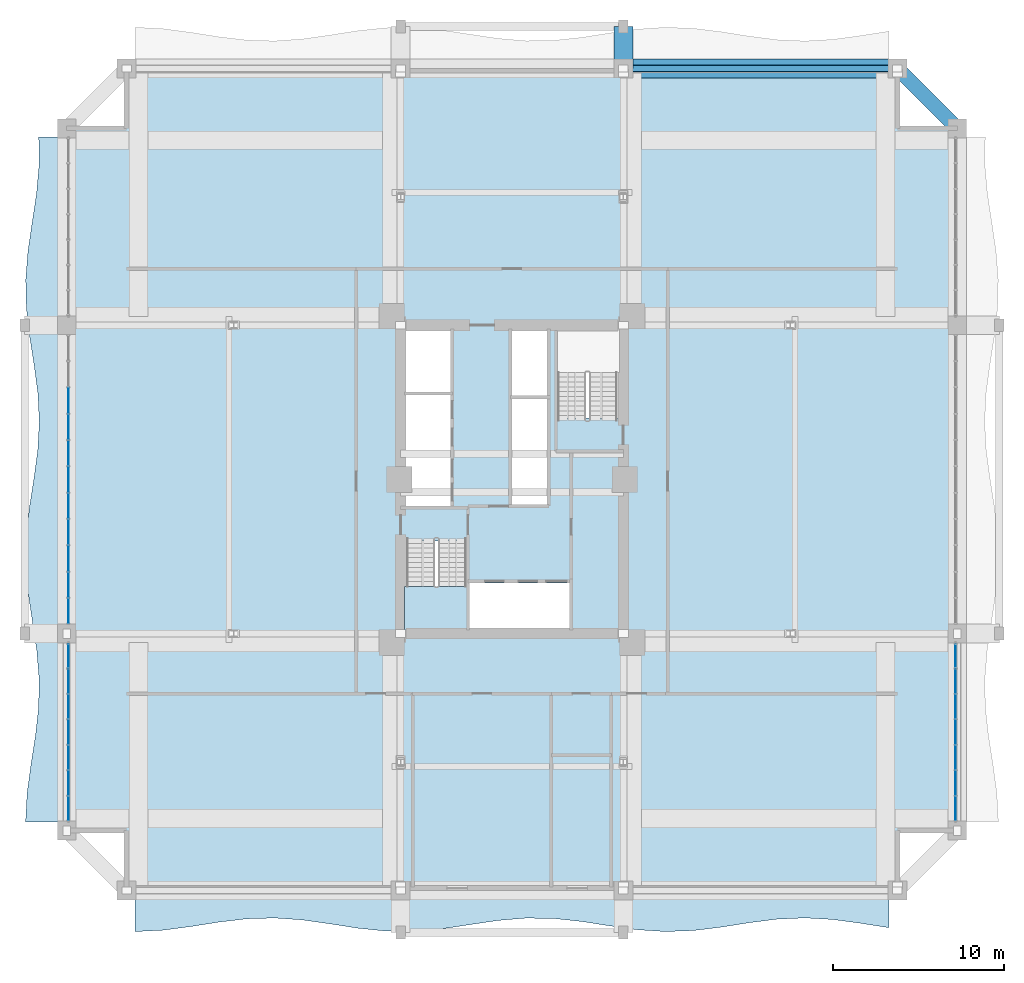
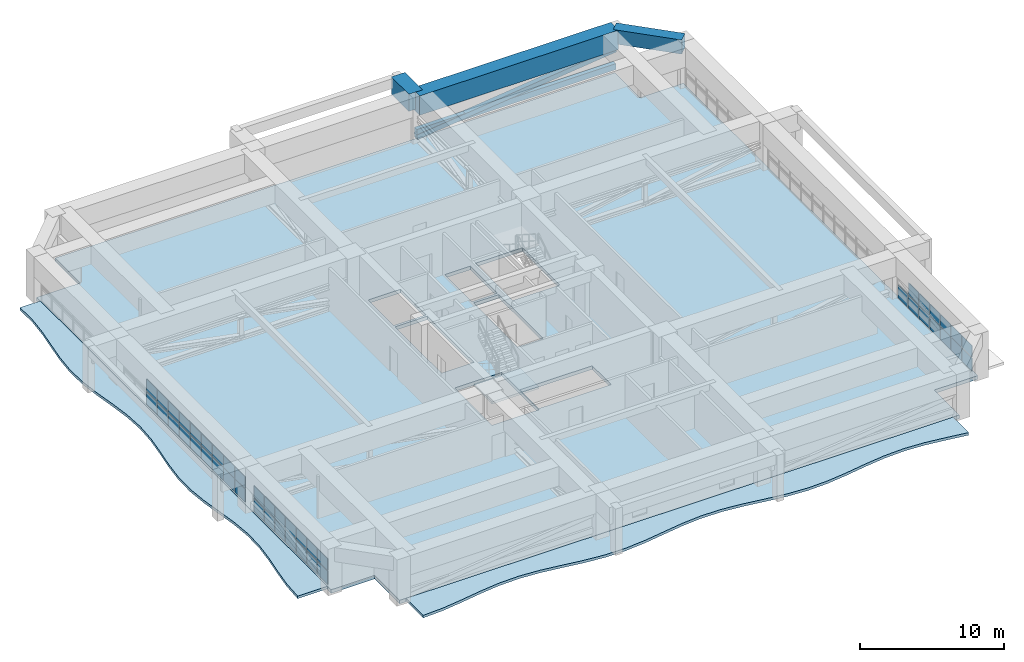
# One storey, part 26 of 35: 45 plates, 4 slabs, 3 beams, 2 members, 4 elements without a shape of their own.
"""IFC4 building model written with IfcOpenShell, lengths in metres."""

import ifcopenshell
import ifcopenshell.guid

model = None  # the IFC model being written
_history = None  # IfcOwnerHistory: only IFC2X3 demands one
_inside = {}  # id of a spatial element -> (the spatial element, [elements in it])
_under = {}  # id of a project, library or spatial element -> (it, [spatial elements below it])
_declared = {}  # id of a project -> (the project, [libraries it declares])
_typed = {}  # id of a type object -> (the type object, [elements of that type])
_made_of = {}  # id of a material, layer set ... -> (it, [elements and type objects made of it])


def new_model(schema):
    """Start an empty IFC model of exactly this schema.

    Asked for "IFC4X3", IfcOpenShell would pick the latest addendum, in which some entities
    have other attributes; the version numbers below select the first issue.
    IFC2X3 requires an IfcOwnerHistory on every rooted entity: one is made here for all.
    """
    global model, _history
    if schema == "IFC4X3":
        model = ifcopenshell.file(schema_version=(4, 3, 0, 0))
    else:
        model = ifcopenshell.file(schema=schema)
    _inside.clear()
    _under.clear()
    _declared.clear()
    _typed.clear()
    _made_of.clear()
    _history = None
    if model.schema == "IFC2X3":
        org = make("IfcOrganization", Name="unknown")
        user = make(
            "IfcPersonAndOrganization",
            ThePerson=make("IfcPerson", FamilyName="unknown"),
            TheOrganization=org,
        )
        app = make(
            "IfcApplication",
            ApplicationDeveloper=org,
            Version="unknown",
            ApplicationFullName="unknown",
            ApplicationIdentifier="unknown",
        )
        _history = make(
            "IfcOwnerHistory",
            OwningUser=user,
            OwningApplication=app,
            ChangeAction="ADDED",
            CreationDate=0,
        )
    return model


def make(cls, **values):
    """One entity of the class cls with the attributes given. An attribute that is None is left unset."""
    return model.create_entity(
        cls, **{name: value for name, value in values.items() if value is not None}
    )


def rooted(cls, **values):
    """An entity with a GlobalId (a new one), such as an element, a storey or a relation."""
    return make(cls, GlobalId=ifcopenshell.guid.new(), OwnerHistory=_history, **values)


def si_unit(unit_type, name, prefix=None):
    """IfcSIUnit, for example si_unit("LENGTHUNIT", "METRE", prefix="MILLI")."""
    return make("IfcSIUnit", UnitType=unit_type, Prefix=prefix, Name=name)


def assignment(units):
    """IfcUnitAssignment: the units of a project."""
    return None if units is None else make("IfcUnitAssignment", Units=units)


def point(xyz):
    """IfcCartesianPoint."""
    return None if xyz is None else make("IfcCartesianPoint", Coordinates=xyz)


def direction(xyz):
    """IfcDirection."""
    return None if xyz is None else make("IfcDirection", DirectionRatios=xyz)


def frame(location, z_axis=None, x_axis=None):
    """IfcAxis2Placement3D, a coordinate frame: its origin and axes. An axis left out is left unset."""
    return make(
        "IfcAxis2Placement3D",
        Location=point(location),
        Axis=direction(z_axis),
        RefDirection=direction(x_axis),
    )


def frame_2d(location, x_axis=None):
    """IfcAxis2Placement2D, a coordinate frame in the plane: its origin and x axis."""
    return make(
        "IfcAxis2Placement2D", Location=point(location), RefDirection=direction(x_axis)
    )


def origin():
    """The frame at (0, 0, 0) with its axes left unset."""
    return frame((0.0, 0.0, 0.0))


def origin_2d():
    """The frame at (0, 0) in the plane with its x axis left unset."""
    return frame_2d((0.0, 0.0))


def place(relative_to, where):
    """IfcLocalPlacement: puts the frame where relative to a parent placement (None: the world)."""
    return make(
        "IfcLocalPlacement", PlacementRelTo=relative_to, RelativePlacement=where
    )


def context(
    kind, dimensions, precision=None, world=None, true_north=None, identifier=None
):
    """IfcGeometricRepresentationContext, for example the 3D "Model" context."""
    return make(
        "IfcGeometricRepresentationContext",
        ContextIdentifier=identifier,
        ContextType=kind,
        CoordinateSpaceDimension=dimensions,
        Precision=precision,
        WorldCoordinateSystem=world,
        TrueNorth=true_north,
    )


def subcontext(parent, identifier, kind, view, scale=None):
    """IfcGeometricRepresentationSubContext, for example "Body" below "Model"."""
    return make(
        "IfcGeometricRepresentationSubContext",
        ContextIdentifier=identifier,
        ContextType=kind,
        ParentContext=parent,
        TargetScale=scale,
        TargetView=view,
    )


def project(units=None, contexts=None):
    """IfcProject with its units and contexts."""
    return rooted(
        "IfcProject",
        Name="project",
        RepresentationContexts=contexts,
        UnitsInContext=assignment(units),
    )


def spatial(cls, under=None, at=None, **own):
    """A site, building, storey or space (cls), placed at a placement, below another one or the project."""
    s = rooted(cls, ObjectPlacement=at, **own)
    if under is not None:
        _under.setdefault(under.id(), (under, []))[1].append(s)
    return s


def polyline(points):
    """IfcPolyline through the points."""
    return make("IfcPolyline", Points=[point(p) for p in points])


def profile(cls, at=None, kind="AREA", **sizes):
    """A parametric profile (cls). Its sizes go by their IFC names, for example OverallWidth=200.0."""
    return make(cls, ProfileType=kind, Position=at, **sizes)


def rectangle(**sizes):
    """IfcRectangleProfileDef."""
    return profile("IfcRectangleProfileDef", **sizes)


def hollow_rectangle(**sizes):
    """IfcRectangleHollowProfileDef."""
    return profile("IfcRectangleHollowProfileDef", **sizes)


def outline(outer, holes=None, kind="AREA"):
    """IfcArbitraryClosedProfileDef: a profile drawn as a closed curve; with holes, ...WithVoids."""
    if holes is None:
        return make("IfcArbitraryClosedProfileDef", ProfileType=kind, OuterCurve=outer)
    return make(
        "IfcArbitraryProfileDefWithVoids",
        ProfileType=kind,
        OuterCurve=outer,
        InnerCurves=holes,
    )


def extrude(swept, where, along, depth):
    """IfcExtrudedAreaSolid: the profile swept, set in the frame where, extruded along a direction by depth."""
    return make(
        "IfcExtrudedAreaSolid",
        SweptArea=swept,
        Position=where,
        ExtrudedDirection=direction(along),
        Depth=depth,
    )


def shape(context_of_items, identifier, shape_type, items):
    """IfcShapeRepresentation: the items that make up one representation, for example the "Body"."""
    return make(
        "IfcShapeRepresentation",
        ContextOfItems=context_of_items,
        RepresentationIdentifier=identifier,
        RepresentationType=shape_type,
        Items=items,
    )


def source(mapping_origin, context_of_items, identifier, shape_type, items):
    """IfcRepresentationMap: a shape defined once, which mapped items show again and again."""
    return make(
        "IfcRepresentationMap",
        MappingOrigin=mapping_origin,
        MappedRepresentation=shape(context_of_items, identifier, shape_type, items),
    )


def transform(
    local_origin,
    x_axis=None,
    y_axis=None,
    z_axis=None,
    scale=None,
    scale2=None,
    scale3=None,
    uniform=True,
):
    """IfcCartesianTransformationOperator3D, or its non-uniform kind. x_axis, y_axis, z_axis: its Axis1, 2, 3."""
    if uniform:
        return make(
            "IfcCartesianTransformationOperator3D",
            Axis1=direction(x_axis),
            Axis2=direction(y_axis),
            LocalOrigin=point(local_origin),
            Scale=scale,
            Axis3=direction(z_axis),
        )
    return make(
        "IfcCartesianTransformationOperator3DnonUniform",
        Axis1=direction(x_axis),
        Axis2=direction(y_axis),
        LocalOrigin=point(local_origin),
        Scale=scale,
        Axis3=direction(z_axis),
        Scale2=scale2,
        Scale3=scale3,
    )


def mapped(mapping_source, mapping_target):
    """IfcMappedItem: shows the shape of a source again, moved by a transform."""
    return make(
        "IfcMappedItem", MappingSource=mapping_source, MappingTarget=mapping_target
    )


def material(Name=None, Category=None):
    """IfcMaterial."""
    return make("IfcMaterial", Name=Name, Category=Category)


def layer(
    of_material, thickness, ventilated=None, Name=None, Category=None, Priority=None
):
    """IfcMaterialLayer: one layer of a wall or slab, of a material (None: an air gap)."""
    return make(
        "IfcMaterialLayer",
        Material=of_material,
        LayerThickness=thickness,
        IsVentilated=ventilated,
        Name=Name,
        Category=Category,
        Priority=Priority,
    )


def layer_set(layers, Name=None):
    """IfcMaterialLayerSet."""
    return make("IfcMaterialLayerSet", MaterialLayers=layers, LayerSetName=Name)


def material_profile(
    of_material, cross_section, Name=None, Category=None, Priority=None
):
    """IfcMaterialProfile: a cross section and its material."""
    return make(
        "IfcMaterialProfile",
        Name=Name,
        Material=of_material,
        Profile=cross_section,
        Priority=Priority,
        Category=Category,
    )


def profile_set(profiles, Name=None, composite=None):
    """IfcMaterialProfileSet."""
    return make(
        "IfcMaterialProfileSet",
        Name=Name,
        MaterialProfiles=profiles,
        CompositeProfile=composite,
    )


def made_of(thing, what):
    """Note that an element or type object is made of a material, layer set ...; save() writes the relation."""
    if what is not None:
        _made_of.setdefault(what.id(), (what, []))[1].append(thing)
    return thing


def type_object(cls, material=None, **own):
    """A type object (cls), such as IfcWallType, which elements share."""
    return made_of(rooted(cls, **own), material)


def element(
    cls,
    number,
    at=None,
    inside=None,
    cuts=None,
    type_object=None,
    material=None,
    context=None,
    identifier="Body",
    shape_type=None,
    held_by="IfcProductDefinitionShape",
    body=None,
    shapes=None,
    **own,
):
    """One element of the class cls, such as IfcWall. Its Tag is "e" and its number.

    at: its placement. inside: the storey or other place that contains it. cuts: it is an
    opening in that element (IfcRelVoidsElement). A single representation is given by context,
    identifier, shape_type and body (its items); several are given by shapes. held_by: the class
    of the entity that holds the representations. save() writes the other relations.
    """
    e = rooted(cls, Tag="e%d" % number, ObjectPlacement=at, **own)
    if body is not None:
        shapes = [shape(context, identifier, shape_type, body)]
    if shapes is not None:
        e.Representation = make(held_by, Representations=shapes)
    if inside is not None:
        _inside.setdefault(inside.id(), (inside, []))[1].append(e)
    if cuts is not None:
        rooted(
            "IfcRelVoidsElement", RelatingBuildingElement=cuts, RelatedOpeningElement=e
        )
    if type_object is not None:
        _typed.setdefault(type_object.id(), (type_object, []))[1].append(e)
    return made_of(e, material)


def aggregate(whole, parts):
    """IfcRelAggregates: a whole, such as a stair, and the parts it consists of."""
    return rooted("IfcRelAggregates", RelatingObject=whole, RelatedObjects=parts)


def save(model, path):
    """Write the relations noted so far, then the file.

    IfcRelAggregates (storeys below a building ...), IfcRelContainedInSpatialStructure (elements
    in a storey), IfcRelDefinesByType, IfcRelAssociatesMaterial and IfcRelDeclares: one each for
    every whole, place, type object, material and project.
    """
    for whole, parts in _under.values():
        aggregate(whole, parts)
    for where, things in _inside.values():
        rooted(
            "IfcRelContainedInSpatialStructure",
            RelatedElements=things,
            RelatingStructure=where,
        )
    for kind, things in _typed.values():
        rooted("IfcRelDefinesByType", RelatedObjects=things, RelatingType=kind)
    for what, things in _made_of.values():
        rooted("IfcRelAssociatesMaterial", RelatedObjects=things, RelatingMaterial=what)
    for by, libraries in _declared.values():
        rooted("IfcRelDeclares", RelatingContext=by, RelatedDefinitions=libraries)
    model.write(path)


model = new_model("IFC4")

# Units and contexts
model_context = context("Model", 3, precision=1e-05, world=origin(), true_north=direction((0.0, 1.0)))
body_context = subcontext(model_context, "Body", "Model", "MODEL_VIEW")
ifc_project = project(units=[si_unit("LENGTHUNIT", "METRE"), si_unit("AREAUNIT", "SQUARE_METRE"), si_unit("VOLUMEUNIT", "CUBIC_METRE"), si_unit("PLANEANGLEUNIT", "RADIAN"), si_unit("MASSUNIT", "GRAM", prefix="KILO")], contexts=[model_context])

# Site, building, storey
site_placement = place(None, origin())
site = spatial("IfcSite", under=ifc_project, at=site_placement, CompositionType="ELEMENT")
building_placement = place(site_placement, origin())
building = spatial("IfcBuilding", under=site, at=building_placement, Name="Saelheon Loggia Tower", CompositionType="ELEMENT")
storey_placement = place(building_placement, frame((0.0, 0.0, 70.39990234375)))
storey = spatial("IfcBuildingStorey", under=building, at=storey_placement, Name="L22", CompositionType="ELEMENT", Elevation=70.39990234375)

# Beams
ifc_material_1 = material(Name="Concrete C50/60", Category="concrete")
ifc_material_profile_1 = material_profile(ifc_material_1, rectangle(XDim=1.10009765625, YDim=1.449951171875, at=origin_2d()), Name="RC-1100x1450")
ifc_profile_set_1 = profile_set([ifc_material_profile_1], Name="Concrete C50/60")
beam_type_1 = type_object("IfcBeamType", Name="Beam_PerimTransfer_RC1100x1450", PredefinedType="BEAM", material=ifc_profile_set_1)
shared_shape_1 = source(origin(), body_context, "Body", "SweptSolid", [
    extrude(rectangle(XDim=1.10009765625, YDim=1.449951171875, at=origin_2d()), origin(), (0.0, 0.0, 1.0), 2.449951171875),
])
beam_1_placement = place(storey_placement, frame((44.5, 51.0, 3.22509765625), z_axis=(0.0, 1.0, 0.0), x_axis=(-1.0, 0.0, 0.0)))
element("IfcBeam", 1, at=beam_1_placement, inside=storey, type_object=beam_type_1, Name="L22 Loggia Frame Tie Beam LP-N2", PredefinedType="BEAM", context=body_context, shape_type="MappedRepresentation", body=[
    mapped(shared_shape_1, transform((0.0, 0.0, 0.0), scale=1.0)),
])
ifc_material_profile_2 = material_profile(ifc_material_1, rectangle(XDim=1.10009765625, YDim=1.64990234375, at=origin_2d()), Name="RC-1100x1650")
ifc_profile_set_2 = profile_set([ifc_material_profile_2], Name="Concrete C50/60")
beam_type_2 = type_object("IfcBeamType", Name="Beam_PerimMega_RC1100x1650", PredefinedType="BEAM", material=ifc_profile_set_2)
shared_shape_2 = source(origin(), body_context, "Body", "SweptSolid", [
    extrude(rectangle(XDim=1.10009765625, YDim=1.64990234375, at=origin_2d()), origin(), (0.0, 0.0, 1.0), 16.0),
])
beam_2_placement = place(storey_placement, frame((60.5, 51.0, 3.125), z_axis=(-1.0, 0.0, 0.0), x_axis=(0.0, -1.0, 0.0)))
element("IfcBeam", 2, at=beam_2_placement, inside=storey, type_object=beam_type_2, Name="L22 Perimeter Frame Girder 09", PredefinedType="BEAM", context=body_context, shape_type="MappedRepresentation", body=[
    mapped(shared_shape_2, transform((0.0, 0.0, 0.0), scale=1.0)),
])
ifc_material_profile_3 = material_profile(ifc_material_1, rectangle(XDim=0.85009765625, YDim=1.199951171875, at=origin_2d()), Name="RC-850x1200")
ifc_profile_set_3 = profile_set([ifc_material_profile_3], Name="Concrete C50/60")
beam_type_3 = type_object("IfcBeamType", Name="Beam_CornerShoulder_RC850x1200", PredefinedType="BEAM", material=ifc_profile_set_3)
shared_shape_3 = source(origin(), body_context, "Body", "SweptSolid", [
    extrude(rectangle(XDim=0.85009765625, YDim=1.199951171875, at=origin_2d()), origin(), (0.0, 0.0, 1.0), 4.94970703125),
])
beam_3_placement = place(storey_placement, frame((64.0, 47.5, 3.35009765625), z_axis=(-0.707106781187, 0.707106781187, 0.0), x_axis=(-0.707106781187, -0.707106781187, 0.0)))
element("IfcBeam", 3, at=beam_3_placement, inside=storey, type_object=beam_type_3, Name="L22 Corner Shoulder Beam 08", PredefinedType="BEAM", context=body_context, shape_type="MappedRepresentation", body=[
    mapped(shared_shape_3, transform((0.0, 0.0, 0.0), scale=1.0)),
])

# Members
ifc_material_2 = material(Name="Steel SM355", Category="steel")
ifc_material_profile_4 = material_profile(ifc_material_2, hollow_rectangle(XDim=0.35009765625, YDim=0.5, WallThickness=0.02197265625, at=origin_2d()), Name="RHS-500x350x22")
ifc_profile_set_4 = profile_set([ifc_material_profile_4], Name="Steel SM355")
member_type_1 = type_object("IfcMemberType", Name="Belt_Chord_RHS500", PredefinedType="CHORD", material=ifc_profile_set_4)
shared_shape_4 = source(origin(), body_context, "Body", "SweptSolid", [
    extrude(hollow_rectangle(XDim=0.35009765625, YDim=0.5, WallThickness=0.02197265625, at=origin_2d()), origin(), (0.0, 0.0, 1.0), 16.0),
])
member_1_placement = place(storey_placement, frame((44.5, 51.0, 0.6201171875), z_axis=(1.0, 0.0, 0.0), x_axis=(0.0, 1.0, 0.0)))
element("IfcMember", 4, at=member_1_placement, inside=storey, type_object=member_type_1, Name="L22 Belt Truss Chord BN2", PredefinedType="CHORD", context=body_context, shape_type="MappedRepresentation", body=[
    mapped(shared_shape_4, transform((0.0, 0.0, 0.0), scale=1.0)),
])
ifc_material_profile_5 = material_profile(ifc_material_2, hollow_rectangle(XDim=0.39990234375, YDim=0.39990234375, WallThickness=0.02001953125, at=origin_2d()), Name="RHS-400x400x20")
ifc_profile_set_5 = profile_set([ifc_material_profile_5], Name="Steel SM355")
member_type_2 = type_object("IfcMemberType", Name="Belt_Brace_RHS400", PredefinedType="BRACE", material=ifc_profile_set_5)
shared_shape_5 = source(origin(), body_context, "Body", "SweptSolid", [
    extrude(hollow_rectangle(XDim=0.39990234375, YDim=0.39990234375, WallThickness=0.02001953125, at=origin_2d()), origin(), (0.0, 0.0, 1.0), 16.106689453125),
])
member_2_placement = place(storey_placement, frame((44.5, 51.0, 0.22021484375), z_axis=(0.993382754474, 0.0, 0.114850786295), x_axis=(0.0, 1.0, 0.0)))
element("IfcMember", 5, at=member_2_placement, inside=storey, type_object=member_type_2, Name="L22 Belt Truss Brace BN2", PredefinedType="BRACE", context=body_context, shape_type="MappedRepresentation", body=[
    mapped(shared_shape_5, transform((0.0, 0.0, 0.0), scale=1.0)),
])

# Slabs
ifc_material_3 = material(Name="Concrete C45/55", Category="concrete")
ifc_layer_1 = layer(ifc_material_3, 0.219970703125)
ifc_layer_set_1 = layer_set([ifc_layer_1], Name="Concrete C45/55")
slab_type_1 = type_object("IfcSlabType", Name="Slab_RefugeTerrace_Ext_220", PredefinedType="FLOOR", material=ifc_layer_set_1)
slab_1_placement = place(storey_placement, frame((0.0, 0.0, -0.219970703125)))
element("IfcSlab", 6, at=slab_1_placement, inside=storey, type_object=slab_type_1, Name="L22 Open Refuge Terrace S", PredefinedType="FLOOR", context=body_context, shape_type="SweptSolid", body=[
    extrude(outline(polyline([(16.0, 0.60009765625), (17.629638671875, 0.68310546875), (19.25927734375, 0.89794921875), (20.888916015625, 1.155029296875), (22.5185546875, 1.347900390625), (24.148193359375, 1.39599609375), (25.77783203125, 1.27978515625), (27.407470703125, 1.047119140625), (29.037109375, 0.794921875), (30.666748046875, 0.6279296875), (32.29638671875, 0.615478515625), (33.92578125, 0.76318359375), (35.5556640625, 1.0087890625), (37.185302734375, 1.251220703125), (38.814697265625, 1.388916015625), (40.4443359375, 1.364990234375), (42.07421875, 1.189697265625), (43.70361328125, 0.935302734375), (45.333251953125, 0.707763671875), (46.962890625, 0.601806640625), (48.592529296875, 0.661376953125), (50.22216796875, 0.861572265625), (51.851806640625, 1.119384765625), (53.4814453125, 1.327392578125), (55.111083984375, 1.399658203125), (56.74072265625, 1.3056640625), (58.370361328125, 1.084716796875), (60.0, 0.82861328125), (60.0, 3.0), (16.0, 3.0), (16.0, 0.60009765625)])), origin(), (0.0, 0.0, 1.0), 0.219970703125),
])
slab_2_placement = place(storey_placement, frame((0.0, 0.0, -0.219970703125)))
element("IfcSlab", 7, at=slab_2_placement, inside=storey, type_object=slab_type_1, Name="L22 Open Refuge Terrace W", PredefinedType="FLOOR", context=body_context, shape_type="SweptSolid", body=[
    extrude(outline(polyline([(12.0, 7.0), (12.0, 47.0), (10.367919921875, 47.0), (10.3857421875, 45.333251953125), (10.236083984375, 43.666748046875), (9.98388671875, 42.0), (9.73876953125, 40.333251953125), (9.60693359375, 38.666748046875), (9.645751953125, 37.0), (9.83837890625, 35.333251953125), (10.100830078125, 33.666748046875), (10.31982421875, 32.0), (10.39990234375, 30.333251953125), (10.306396484375, 28.666748046875), (10.080078125, 27.0), (9.81884765625, 25.333251953125), (9.636474609375, 23.666748046875), (9.611572265625, 22.0), (9.75537109375, 20.333251953125), (10.00537109375, 18.666748046875), (10.2529296875, 17.0), (10.390869140625, 15.333251953125), (10.35888671875, 13.666748046875), (10.17138671875, 12.0), (9.909423828125, 10.333251953125), (9.686767578125, 8.666748046875), (9.60009765625, 7.0), (12.0, 7.0)])), origin(), (0.0, 0.0, 1.0), 0.219970703125),
])
ifc_layer_2 = layer(ifc_material_1, 0.300048828125)
ifc_layer_set_2 = layer_set([ifc_layer_2], Name="Concrete C50/60")
slab_type_2 = type_object("IfcSlabType", Name="Slab_Refuge_300", PredefinedType="FLOOR", material=ifc_layer_set_2)
slab_3_placement = place(storey_placement, frame((0.0, 0.0, -0.2998046875)))
element("IfcSlab", 8, at=slab_3_placement, inside=storey, type_object=slab_type_2, Name="L22 Tower Floor Slab", PredefinedType="FLOOR", context=body_context, shape_type="SweptSolid", body=[
    extrude(outline(polyline([(15.5, 3.0), (60.5, 3.0), (60.5, 6.5), (64.0, 6.5), (64.0, 47.5), (60.5, 47.5), (60.5, 51.0), (15.5, 51.0), (15.5, 47.5), (12.0, 47.5), (12.0, 6.5), (15.5, 6.5), (15.5, 3.0)]), holes=[polyline([(31.699951171875, 23.409912109375), (31.699951171875, 18.199951171875), (35.47998046875, 18.199951171875), (35.47998046875, 23.409912109375), (31.699951171875, 23.409912109375)]), polyline([(44.300048828125, 30.590087890625), (44.300048828125, 35.800048828125), (40.52001953125, 35.800048828125), (40.52001953125, 30.590087890625), (44.300048828125, 30.590087890625)]), polyline([(35.530029296875, 18.324951171875), (41.35009765625, 18.324951171875), (41.35009765625, 20.9599609375), (35.530029296875, 20.9599609375), (35.530029296875, 18.324951171875)]), polyline([(31.824951171875, 32.1201171875), (34.419921875, 32.1201171875), (34.419921875, 35.675048828125), (31.824951171875, 35.675048828125), (31.824951171875, 32.1201171875)]), polyline([(38.0, 31.89990234375), (40.050048828125, 31.89990234375), (40.050048828125, 35.675048828125), (38.0, 35.675048828125), (38.0, 31.89990234375)]), polyline([(31.824951171875, 25.449951171875), (34.419921875, 25.449951171875), (34.419921875, 31.919921875), (31.824951171875, 31.919921875), (31.824951171875, 25.449951171875)]), polyline([(38.0, 25.5400390625), (40.050048828125, 25.5400390625), (40.050048828125, 31.699951171875), (38.0, 31.699951171875), (38.0, 25.5400390625)])]), origin(), (0.0, 0.0, 1.0), 0.2998046875),
])

# Stair, slab
ifc_material_4 = material(Name="Concrete C40/50", Category="concrete")
stair_type = type_object("IfcStairType", Name="Stair_Escape_Core", PredefinedType="HALF_TURN_STAIR", material=ifc_material_4)
stair_placement = place(storey_placement, origin())
stair = element("IfcStair", 9, at=stair_placement, inside=storey, type_object=stair_type, Name="L22 Special Escape Stair ST1", PredefinedType="HALF_TURN_STAIR")
ifc_layer_3 = layer(ifc_material_4, 0.199951171875)
ifc_layer_set_3 = layer_set([ifc_layer_3], Name="Concrete C40/50")
slab_type_3 = type_object("IfcSlabType", Name="Slab_StairLanding_ST1", PredefinedType="LANDING", material=ifc_layer_set_3)
slab_4_placement = place(storey_placement, frame((0.0, 0.0, 1.775146484375)))
slab_4 = element("IfcSlab", 10, at=slab_4_placement, type_object=slab_type_3, Name="ST1 landing 1", PredefinedType="LANDING", context=body_context, shape_type="SweptSolid", body=[
    extrude(outline(polyline([(31.7099609375, 20.75), (31.7099609375, 18.2099609375), (35.469970703125, 18.2099609375), (35.469970703125, 20.75), (31.7099609375, 20.75)])), origin(), (0.0, 0.0, 1.0), 0.199951171875),
])
aggregate(stair, [slab_4])

# Curtain wall, plates
ifc_material_5 = material(Name="Anodised Aluminium Acoustic Louvre Curtain Wall", Category="aluminium")
ifc_layer_4 = layer(ifc_material_5, 0.179931640625)
ifc_layer_set_4 = layer_set([ifc_layer_4], Name="Anodised Aluminium Acoustic Louvre Curtain Wall")
curtain_wall_type = type_object("IfcCurtainWallType", Name="CW_RefugeAcoustic", PredefinedType="NOTDEFINED", material=ifc_layer_set_4)
curtain_wall_1_placement = place(storey_placement, origin())
curtain_wall_1 = element("IfcCurtainWall", 11, at=curtain_wall_1_placement, inside=storey, type_object=curtain_wall_type, Name="L22 W Refuge Acoustic Curtain Wall 1", PredefinedType="NOTDEFINED")
ifc_material_6 = material(Name="Triple Low-E Laminated Glazing", Category="glass")
ifc_layer_5 = layer(ifc_material_6, 0.0400390625)
ifc_layer_set_5 = layer_set([ifc_layer_5], Name="Triple Low-E Laminated Glazing")
plate_type = type_object("IfcPlateType", Name="CW_RefugeAcoustic_Panel", PredefinedType="CURTAIN_PANEL", material=ifc_layer_set_5)
shared_shape_6 = source(origin(), body_context, "Body", "SweptSolid", [
    extrude(rectangle(XDim=1.38818359375, YDim=0.0400390625, at=origin_2d()), origin(), (0.0, 0.0, 1.0), 1.1025390625),
])
plate_1_placement = place(storey_placement, frame((12.10009765625, 7.80908203125, 0.065185546875), z_axis=(0.0, 0.0, 1.0), x_axis=(0.0, 1.0, 0.0)))
plate_1 = element("IfcPlate", 12, at=plate_1_placement, type_object=plate_type, Name="CW5 panel 1.1", PredefinedType="CURTAIN_PANEL", context=body_context, shape_type="MappedRepresentation", body=[
    mapped(shared_shape_6, transform((0.0, 0.0, 0.0), scale=1.0)),
])
plate_2_placement = place(storey_placement, frame((12.10009765625, 16.69091796875, 0.065185546875), z_axis=(0.0, 0.0, 1.0), x_axis=(0.0, 1.0, 0.0)))
plate_2 = element("IfcPlate", 13, at=plate_2_placement, type_object=plate_type, Name="CW5 panel 7.1", PredefinedType="CURTAIN_PANEL", context=body_context, shape_type="MappedRepresentation", body=[
    mapped(shared_shape_6, transform((0.0, 0.0, 0.0), scale=1.0)),
])

curtain_wall_2_placement = place(storey_placement, origin())
curtain_wall_2 = element("IfcCurtainWall", 14, at=curtain_wall_2_placement, inside=storey, type_object=curtain_wall_type, Name="L22 E Refuge Acoustic Curtain Wall 1", PredefinedType="NOTDEFINED")
plate_3_placement = place(storey_placement, frame((63.89990234375, 7.80908203125, 0.065185546875), z_axis=(0.0, 0.0, 1.0), x_axis=(0.0, 1.0, 0.0)))
plate_3 = element("IfcPlate", 15, at=plate_3_placement, type_object=plate_type, Name="CW5 panel 1.1", PredefinedType="CURTAIN_PANEL", context=body_context, shape_type="MappedRepresentation", body=[
    mapped(shared_shape_6, transform((0.0, 0.0, 0.0), scale=1.0)),
])
plate_4_placement = place(storey_placement, frame((63.89990234375, 16.69091796875, 0.065185546875), z_axis=(0.0, 0.0, 1.0), x_axis=(0.0, 1.0, 0.0)))
plate_4 = element("IfcPlate", 16, at=plate_4_placement, type_object=plate_type, Name="CW5 panel 7.1", PredefinedType="CURTAIN_PANEL", context=body_context, shape_type="MappedRepresentation", body=[
    mapped(shared_shape_6, transform((0.0, 0.0, 0.0), scale=1.0)),
])

# Plate
shared_shape_7 = source(origin(), body_context, "Body", "SweptSolid", [
    extrude(rectangle(XDim=1.38818359375, YDim=0.0400390625, at=origin_2d()), origin(), (0.0, 0.0, 1.0), 0.992431640625),
])
plate_5_placement = place(storey_placement, frame((12.10009765625, 7.80908203125, 1.232421875), z_axis=(0.0, 0.0, 1.0), x_axis=(0.0, 1.0, 0.0)))
plate_5 = element("IfcPlate", 17, at=plate_5_placement, type_object=plate_type, Name="CW5 panel 1.2", PredefinedType="CURTAIN_PANEL", context=body_context, shape_type="MappedRepresentation", body=[
    mapped(shared_shape_7, transform((0.0, 0.0, 0.0), scale=1.0)),
])

plate_6_placement = place(storey_placement, frame((12.10009765625, 16.69091796875, 1.232421875), z_axis=(0.0, 0.0, 1.0), x_axis=(0.0, 1.0, 0.0)))
plate_6 = element("IfcPlate", 18, at=plate_6_placement, type_object=plate_type, Name="CW5 panel 7.2", PredefinedType="CURTAIN_PANEL", context=body_context, shape_type="MappedRepresentation", body=[
    mapped(shared_shape_7, transform((0.0, 0.0, 0.0), scale=1.0)),
])

plate_7_placement = place(storey_placement, frame((63.89990234375, 7.80908203125, 1.232421875), z_axis=(0.0, 0.0, 1.0), x_axis=(0.0, 1.0, 0.0)))
plate_7 = element("IfcPlate", 19, at=plate_7_placement, type_object=plate_type, Name="CW5 panel 1.2", PredefinedType="CURTAIN_PANEL", context=body_context, shape_type="MappedRepresentation", body=[
    mapped(shared_shape_7, transform((0.0, 0.0, 0.0), scale=1.0)),
])

shared_shape_8 = source(origin(), body_context, "Body", "SweptSolid", [
    extrude(rectangle(XDim=1.420654296875, YDim=0.0400390625, at=origin_2d()), origin(), (0.0, 0.0, 1.0), 1.1025390625),
])
plate_8_placement = place(storey_placement, frame((12.10009765625, 9.278564453125, 0.065185546875), z_axis=(0.0, 0.0, 1.0), x_axis=(0.0, 1.0, 0.0)))
plate_8 = element("IfcPlate", 20, at=plate_8_placement, type_object=plate_type, Name="CW5 panel 2.1", PredefinedType="CURTAIN_PANEL", context=body_context, shape_type="MappedRepresentation", body=[
    mapped(shared_shape_8, transform((0.0, 0.0, 0.0), scale=1.0)),
])

plate_9_placement = place(storey_placement, frame((12.10009765625, 10.764404296875, 0.065185546875), z_axis=(0.0, 0.0, 1.0), x_axis=(0.0, 1.0, 0.0)))
plate_9 = element("IfcPlate", 21, at=plate_9_placement, type_object=plate_type, Name="CW5 panel 3.1", PredefinedType="CURTAIN_PANEL", context=body_context, shape_type="MappedRepresentation", body=[
    mapped(shared_shape_8, transform((0.0, 0.0, 0.0), scale=1.0)),
])

plate_10_placement = place(storey_placement, frame((12.10009765625, 12.25, 0.065185546875), z_axis=(0.0, 0.0, 1.0), x_axis=(0.0, 1.0, 0.0)))
plate_10 = element("IfcPlate", 22, at=plate_10_placement, type_object=plate_type, Name="CW5 panel 4.1", PredefinedType="CURTAIN_PANEL", context=body_context, shape_type="MappedRepresentation", body=[
    mapped(shared_shape_8, transform((0.0, 0.0, 0.0), scale=1.0)),
])

plate_11_placement = place(storey_placement, frame((12.10009765625, 13.735595703125, 0.065185546875), z_axis=(0.0, 0.0, 1.0), x_axis=(0.0, 1.0, 0.0)))
plate_11 = element("IfcPlate", 23, at=plate_11_placement, type_object=plate_type, Name="CW5 panel 5.1", PredefinedType="CURTAIN_PANEL", context=body_context, shape_type="MappedRepresentation", body=[
    mapped(shared_shape_8, transform((0.0, 0.0, 0.0), scale=1.0)),
])

plate_12_placement = place(storey_placement, frame((12.10009765625, 15.221435546875, 0.065185546875), z_axis=(0.0, 0.0, 1.0), x_axis=(0.0, 1.0, 0.0)))
plate_12 = element("IfcPlate", 24, at=plate_12_placement, type_object=plate_type, Name="CW5 panel 6.1", PredefinedType="CURTAIN_PANEL", context=body_context, shape_type="MappedRepresentation", body=[
    mapped(shared_shape_8, transform((0.0, 0.0, 0.0), scale=1.0)),
])

plate_13_placement = place(storey_placement, frame((63.89990234375, 9.278564453125, 0.065185546875), z_axis=(0.0, 0.0, 1.0), x_axis=(0.0, 1.0, 0.0)))
plate_13 = element("IfcPlate", 25, at=plate_13_placement, type_object=plate_type, Name="CW5 panel 2.1", PredefinedType="CURTAIN_PANEL", context=body_context, shape_type="MappedRepresentation", body=[
    mapped(shared_shape_8, transform((0.0, 0.0, 0.0), scale=1.0)),
])

plate_14_placement = place(storey_placement, frame((63.89990234375, 10.764404296875, 0.065185546875), z_axis=(0.0, 0.0, 1.0), x_axis=(0.0, 1.0, 0.0)))
plate_14 = element("IfcPlate", 26, at=plate_14_placement, type_object=plate_type, Name="CW5 panel 3.1", PredefinedType="CURTAIN_PANEL", context=body_context, shape_type="MappedRepresentation", body=[
    mapped(shared_shape_8, transform((0.0, 0.0, 0.0), scale=1.0)),
])

plate_15_placement = place(storey_placement, frame((63.89990234375, 12.25, 0.065185546875), z_axis=(0.0, 0.0, 1.0), x_axis=(0.0, 1.0, 0.0)))
plate_15 = element("IfcPlate", 27, at=plate_15_placement, type_object=plate_type, Name="CW5 panel 4.1", PredefinedType="CURTAIN_PANEL", context=body_context, shape_type="MappedRepresentation", body=[
    mapped(shared_shape_8, transform((0.0, 0.0, 0.0), scale=1.0)),
])

plate_16_placement = place(storey_placement, frame((63.89990234375, 13.735595703125, 0.065185546875), z_axis=(0.0, 0.0, 1.0), x_axis=(0.0, 1.0, 0.0)))
plate_16 = element("IfcPlate", 28, at=plate_16_placement, type_object=plate_type, Name="CW5 panel 5.1", PredefinedType="CURTAIN_PANEL", context=body_context, shape_type="MappedRepresentation", body=[
    mapped(shared_shape_8, transform((0.0, 0.0, 0.0), scale=1.0)),
])

plate_17_placement = place(storey_placement, frame((63.89990234375, 15.221435546875, 0.065185546875), z_axis=(0.0, 0.0, 1.0), x_axis=(0.0, 1.0, 0.0)))
plate_17 = element("IfcPlate", 29, at=plate_17_placement, type_object=plate_type, Name="CW5 panel 6.1", PredefinedType="CURTAIN_PANEL", context=body_context, shape_type="MappedRepresentation", body=[
    mapped(shared_shape_8, transform((0.0, 0.0, 0.0), scale=1.0)),
])

shared_shape_9 = source(origin(), body_context, "Body", "SweptSolid", [
    extrude(rectangle(XDim=1.420654296875, YDim=0.0400390625, at=origin_2d()), origin(), (0.0, 0.0, 1.0), 0.992431640625),
])
plate_18_placement = place(storey_placement, frame((12.10009765625, 9.278564453125, 1.232421875), z_axis=(0.0, 0.0, 1.0), x_axis=(0.0, 1.0, 0.0)))
plate_18 = element("IfcPlate", 30, at=plate_18_placement, type_object=plate_type, Name="CW5 panel 2.2", PredefinedType="CURTAIN_PANEL", context=body_context, shape_type="MappedRepresentation", body=[
    mapped(shared_shape_9, transform((0.0, 0.0, 0.0), scale=1.0)),
])

plate_19_placement = place(storey_placement, frame((12.10009765625, 10.764404296875, 1.232421875), z_axis=(0.0, 0.0, 1.0), x_axis=(0.0, 1.0, 0.0)))
plate_19 = element("IfcPlate", 31, at=plate_19_placement, type_object=plate_type, Name="CW5 panel 3.2", PredefinedType="CURTAIN_PANEL", context=body_context, shape_type="MappedRepresentation", body=[
    mapped(shared_shape_9, transform((0.0, 0.0, 0.0), scale=1.0)),
])

plate_20_placement = place(storey_placement, frame((12.10009765625, 12.25, 1.232421875), z_axis=(0.0, 0.0, 1.0), x_axis=(0.0, 1.0, 0.0)))
plate_20 = element("IfcPlate", 32, at=plate_20_placement, type_object=plate_type, Name="CW5 panel 4.2", PredefinedType="CURTAIN_PANEL", context=body_context, shape_type="MappedRepresentation", body=[
    mapped(shared_shape_9, transform((0.0, 0.0, 0.0), scale=1.0)),
])

plate_21_placement = place(storey_placement, frame((12.10009765625, 13.735595703125, 1.232421875), z_axis=(0.0, 0.0, 1.0), x_axis=(0.0, 1.0, 0.0)))
plate_21 = element("IfcPlate", 33, at=plate_21_placement, type_object=plate_type, Name="CW5 panel 5.2", PredefinedType="CURTAIN_PANEL", context=body_context, shape_type="MappedRepresentation", body=[
    mapped(shared_shape_9, transform((0.0, 0.0, 0.0), scale=1.0)),
])

plate_22_placement = place(storey_placement, frame((12.10009765625, 15.221435546875, 1.232421875), z_axis=(0.0, 0.0, 1.0), x_axis=(0.0, 1.0, 0.0)))
plate_22 = element("IfcPlate", 34, at=plate_22_placement, type_object=plate_type, Name="CW5 panel 6.2", PredefinedType="CURTAIN_PANEL", context=body_context, shape_type="MappedRepresentation", body=[
    mapped(shared_shape_9, transform((0.0, 0.0, 0.0), scale=1.0)),
])

aggregate(curtain_wall_1, [plate_1, plate_5, plate_8, plate_18, plate_9, plate_19, plate_10, plate_20, plate_11, plate_21, plate_12, plate_22, plate_2, plate_6])

plate_23_placement = place(storey_placement, frame((63.89990234375, 9.278564453125, 1.232421875), z_axis=(0.0, 0.0, 1.0), x_axis=(0.0, 1.0, 0.0)))
plate_23 = element("IfcPlate", 35, at=plate_23_placement, type_object=plate_type, Name="CW5 panel 2.2", PredefinedType="CURTAIN_PANEL", context=body_context, shape_type="MappedRepresentation", body=[
    mapped(shared_shape_9, transform((0.0, 0.0, 0.0), scale=1.0)),
])

plate_24_placement = place(storey_placement, frame((63.89990234375, 10.764404296875, 1.232421875), z_axis=(0.0, 0.0, 1.0), x_axis=(0.0, 1.0, 0.0)))
plate_24 = element("IfcPlate", 36, at=plate_24_placement, type_object=plate_type, Name="CW5 panel 3.2", PredefinedType="CURTAIN_PANEL", context=body_context, shape_type="MappedRepresentation", body=[
    mapped(shared_shape_9, transform((0.0, 0.0, 0.0), scale=1.0)),
])

plate_25_placement = place(storey_placement, frame((63.89990234375, 12.25, 1.232421875), z_axis=(0.0, 0.0, 1.0), x_axis=(0.0, 1.0, 0.0)))
plate_25 = element("IfcPlate", 37, at=plate_25_placement, type_object=plate_type, Name="CW5 panel 4.2", PredefinedType="CURTAIN_PANEL", context=body_context, shape_type="MappedRepresentation", body=[
    mapped(shared_shape_9, transform((0.0, 0.0, 0.0), scale=1.0)),
])

plate_26_placement = place(storey_placement, frame((63.89990234375, 13.735595703125, 1.232421875), z_axis=(0.0, 0.0, 1.0), x_axis=(0.0, 1.0, 0.0)))
plate_26 = element("IfcPlate", 38, at=plate_26_placement, type_object=plate_type, Name="CW5 panel 5.2", PredefinedType="CURTAIN_PANEL", context=body_context, shape_type="MappedRepresentation", body=[
    mapped(shared_shape_9, transform((0.0, 0.0, 0.0), scale=1.0)),
])

plate_27_placement = place(storey_placement, frame((63.89990234375, 15.221435546875, 1.232421875), z_axis=(0.0, 0.0, 1.0), x_axis=(0.0, 1.0, 0.0)))
plate_27 = element("IfcPlate", 39, at=plate_27_placement, type_object=plate_type, Name="CW5 panel 6.2", PredefinedType="CURTAIN_PANEL", context=body_context, shape_type="MappedRepresentation", body=[
    mapped(shared_shape_9, transform((0.0, 0.0, 0.0), scale=1.0)),
])

aggregate(curtain_wall_2, [plate_3, plate_7, plate_13, plate_23, plate_14, plate_24, plate_15, plate_25, plate_16, plate_26, plate_17, plate_27, plate_4])

# Curtain wall, plates
curtain_wall_3_placement = place(storey_placement, origin())
curtain_wall_3 = element("IfcCurtainWall", 40, at=curtain_wall_3_placement, inside=storey, type_object=curtain_wall_type, Name="L22 W Refuge Acoustic Curtain Wall 2", PredefinedType="NOTDEFINED")
shared_shape_10 = source(origin(), body_context, "Body", "SweptSolid", [
    extrude(rectangle(XDim=1.43896484375, YDim=0.0400390625, at=origin_2d()), origin(), (0.0, 0.0, 1.0), 1.1025390625),
])
plate_28_placement = place(storey_placement, frame((12.10009765625, 19.33447265625, 0.065185546875), z_axis=(0.0, 0.0, 1.0), x_axis=(0.0, 1.0, 0.0)))
plate_28 = element("IfcPlate", 41, at=plate_28_placement, type_object=plate_type, Name="CW5 panel 1.1", PredefinedType="CURTAIN_PANEL", context=body_context, shape_type="MappedRepresentation", body=[
    mapped(shared_shape_10, transform((0.0, 0.0, 0.0), scale=1.0)),
])
shared_shape_11 = source(origin(), body_context, "Body", "SweptSolid", [
    extrude(rectangle(XDim=1.43896484375, YDim=0.0400390625, at=origin_2d()), origin(), (0.0, 0.0, 1.0), 0.992431640625),
])
plate_29_placement = place(storey_placement, frame((12.10009765625, 19.33447265625, 1.232421875), z_axis=(0.0, 0.0, 1.0), x_axis=(0.0, 1.0, 0.0)))
plate_29 = element("IfcPlate", 42, at=plate_29_placement, type_object=plate_type, Name="CW5 panel 1.2", PredefinedType="CURTAIN_PANEL", context=body_context, shape_type="MappedRepresentation", body=[
    mapped(shared_shape_11, transform((0.0, 0.0, 0.0), scale=1.0)),
])
shared_shape_12 = source(origin(), body_context, "Body", "SweptSolid", [
    extrude(rectangle(XDim=1.471435546875, YDim=0.0400390625, at=origin_2d()), origin(), (0.0, 0.0, 1.0), 1.1025390625),
])
plate_30_placement = place(storey_placement, frame((12.10009765625, 20.8544921875, 0.065185546875), z_axis=(0.0, 0.0, 1.0), x_axis=(0.0, 1.0, 0.0)))
plate_30 = element("IfcPlate", 43, at=plate_30_placement, type_object=plate_type, Name="CW5 panel 2.1", PredefinedType="CURTAIN_PANEL", context=body_context, shape_type="MappedRepresentation", body=[
    mapped(shared_shape_12, transform((0.0, 0.0, 0.0), scale=1.0)),
])
plate_31_placement = place(storey_placement, frame((12.10009765625, 22.390869140625, 0.065185546875), z_axis=(0.0, 0.0, 1.0), x_axis=(0.0, 1.0, 0.0)))
plate_31 = element("IfcPlate", 44, at=plate_31_placement, type_object=plate_type, Name="CW5 panel 3.1", PredefinedType="CURTAIN_PANEL", context=body_context, shape_type="MappedRepresentation", body=[
    mapped(shared_shape_12, transform((0.0, 0.0, 0.0), scale=1.0)),
])
plate_32_placement = place(storey_placement, frame((12.10009765625, 23.92724609375, 0.065185546875), z_axis=(0.0, 0.0, 1.0), x_axis=(0.0, 1.0, 0.0)))
plate_32 = element("IfcPlate", 45, at=plate_32_placement, type_object=plate_type, Name="CW5 panel 4.1", PredefinedType="CURTAIN_PANEL", context=body_context, shape_type="MappedRepresentation", body=[
    mapped(shared_shape_12, transform((0.0, 0.0, 0.0), scale=1.0)),
])
plate_33_placement = place(storey_placement, frame((12.10009765625, 25.463623046875, 0.065185546875), z_axis=(0.0, 0.0, 1.0), x_axis=(0.0, 1.0, 0.0)))
plate_33 = element("IfcPlate", 46, at=plate_33_placement, type_object=plate_type, Name="CW5 panel 5.1", PredefinedType="CURTAIN_PANEL", context=body_context, shape_type="MappedRepresentation", body=[
    mapped(shared_shape_12, transform((0.0, 0.0, 0.0), scale=1.0)),
])
plate_34_placement = place(storey_placement, frame((12.10009765625, 27.0, 0.065185546875), z_axis=(0.0, 0.0, 1.0), x_axis=(0.0, 1.0, 0.0)))
plate_34 = element("IfcPlate", 47, at=plate_34_placement, type_object=plate_type, Name="CW5 panel 6.1", PredefinedType="CURTAIN_PANEL", context=body_context, shape_type="MappedRepresentation", body=[
    mapped(shared_shape_12, transform((0.0, 0.0, 0.0), scale=1.0)),
])
plate_35_placement = place(storey_placement, frame((12.10009765625, 28.536376953125, 0.065185546875), z_axis=(0.0, 0.0, 1.0), x_axis=(0.0, 1.0, 0.0)))
plate_35 = element("IfcPlate", 48, at=plate_35_placement, type_object=plate_type, Name="CW5 panel 7.1", PredefinedType="CURTAIN_PANEL", context=body_context, shape_type="MappedRepresentation", body=[
    mapped(shared_shape_12, transform((0.0, 0.0, 0.0), scale=1.0)),
])
plate_36_placement = place(storey_placement, frame((12.10009765625, 30.07275390625, 0.065185546875), z_axis=(0.0, 0.0, 1.0), x_axis=(0.0, 1.0, 0.0)))
plate_36 = element("IfcPlate", 49, at=plate_36_placement, type_object=plate_type, Name="CW5 panel 8.1", PredefinedType="CURTAIN_PANEL", context=body_context, shape_type="MappedRepresentation", body=[
    mapped(shared_shape_12, transform((0.0, 0.0, 0.0), scale=1.0)),
])
plate_37_placement = place(storey_placement, frame((12.10009765625, 31.609130859375, 0.065185546875), z_axis=(0.0, 0.0, 1.0), x_axis=(0.0, 1.0, 0.0)))
plate_37 = element("IfcPlate", 50, at=plate_37_placement, type_object=plate_type, Name="CW5 panel 9.1", PredefinedType="CURTAIN_PANEL", context=body_context, shape_type="MappedRepresentation", body=[
    mapped(shared_shape_12, transform((0.0, 0.0, 0.0), scale=1.0)),
])
shared_shape_13 = source(origin(), body_context, "Body", "SweptSolid", [
    extrude(rectangle(XDim=1.471435546875, YDim=0.0400390625, at=origin_2d()), origin(), (0.0, 0.0, 1.0), 0.992431640625),
])
plate_38_placement = place(storey_placement, frame((12.10009765625, 20.8544921875, 1.232421875), z_axis=(0.0, 0.0, 1.0), x_axis=(0.0, 1.0, 0.0)))
plate_38 = element("IfcPlate", 51, at=plate_38_placement, type_object=plate_type, Name="CW5 panel 2.2", PredefinedType="CURTAIN_PANEL", context=body_context, shape_type="MappedRepresentation", body=[
    mapped(shared_shape_13, transform((0.0, 0.0, 0.0), scale=1.0)),
])
plate_39_placement = place(storey_placement, frame((12.10009765625, 22.390869140625, 1.232421875), z_axis=(0.0, 0.0, 1.0), x_axis=(0.0, 1.0, 0.0)))
plate_39 = element("IfcPlate", 52, at=plate_39_placement, type_object=plate_type, Name="CW5 panel 3.2", PredefinedType="CURTAIN_PANEL", context=body_context, shape_type="MappedRepresentation", body=[
    mapped(shared_shape_13, transform((0.0, 0.0, 0.0), scale=1.0)),
])
plate_40_placement = place(storey_placement, frame((12.10009765625, 23.92724609375, 1.232421875), z_axis=(0.0, 0.0, 1.0), x_axis=(0.0, 1.0, 0.0)))
plate_40 = element("IfcPlate", 53, at=plate_40_placement, type_object=plate_type, Name="CW5 panel 4.2", PredefinedType="CURTAIN_PANEL", context=body_context, shape_type="MappedRepresentation", body=[
    mapped(shared_shape_13, transform((0.0, 0.0, 0.0), scale=1.0)),
])
plate_41_placement = place(storey_placement, frame((12.10009765625, 25.463623046875, 1.232421875), z_axis=(0.0, 0.0, 1.0), x_axis=(0.0, 1.0, 0.0)))
plate_41 = element("IfcPlate", 54, at=plate_41_placement, type_object=plate_type, Name="CW5 panel 5.2", PredefinedType="CURTAIN_PANEL", context=body_context, shape_type="MappedRepresentation", body=[
    mapped(shared_shape_13, transform((0.0, 0.0, 0.0), scale=1.0)),
])
plate_42_placement = place(storey_placement, frame((12.10009765625, 27.0, 1.232421875), z_axis=(0.0, 0.0, 1.0), x_axis=(0.0, 1.0, 0.0)))
plate_42 = element("IfcPlate", 55, at=plate_42_placement, type_object=plate_type, Name="CW5 panel 6.2", PredefinedType="CURTAIN_PANEL", context=body_context, shape_type="MappedRepresentation", body=[
    mapped(shared_shape_13, transform((0.0, 0.0, 0.0), scale=1.0)),
])
plate_43_placement = place(storey_placement, frame((12.10009765625, 28.536376953125, 1.232421875), z_axis=(0.0, 0.0, 1.0), x_axis=(0.0, 1.0, 0.0)))
plate_43 = element("IfcPlate", 56, at=plate_43_placement, type_object=plate_type, Name="CW5 panel 7.2", PredefinedType="CURTAIN_PANEL", context=body_context, shape_type="MappedRepresentation", body=[
    mapped(shared_shape_13, transform((0.0, 0.0, 0.0), scale=1.0)),
])
plate_44_placement = place(storey_placement, frame((12.10009765625, 30.07275390625, 1.232421875), z_axis=(0.0, 0.0, 1.0), x_axis=(0.0, 1.0, 0.0)))
plate_44 = element("IfcPlate", 57, at=plate_44_placement, type_object=plate_type, Name="CW5 panel 8.2", PredefinedType="CURTAIN_PANEL", context=body_context, shape_type="MappedRepresentation", body=[
    mapped(shared_shape_13, transform((0.0, 0.0, 0.0), scale=1.0)),
])
plate_45_placement = place(storey_placement, frame((12.10009765625, 31.609130859375, 1.232421875), z_axis=(0.0, 0.0, 1.0), x_axis=(0.0, 1.0, 0.0)))
plate_45 = element("IfcPlate", 58, at=plate_45_placement, type_object=plate_type, Name="CW5 panel 9.2", PredefinedType="CURTAIN_PANEL", context=body_context, shape_type="MappedRepresentation", body=[
    mapped(shared_shape_13, transform((0.0, 0.0, 0.0), scale=1.0)),
])
aggregate(curtain_wall_3, [plate_28, plate_29, plate_30, plate_38, plate_31, plate_39, plate_32, plate_40, plate_33, plate_41, plate_34, plate_42, plate_35, plate_43, plate_36, plate_44, plate_37, plate_45])

save(model, "model.ifc")
